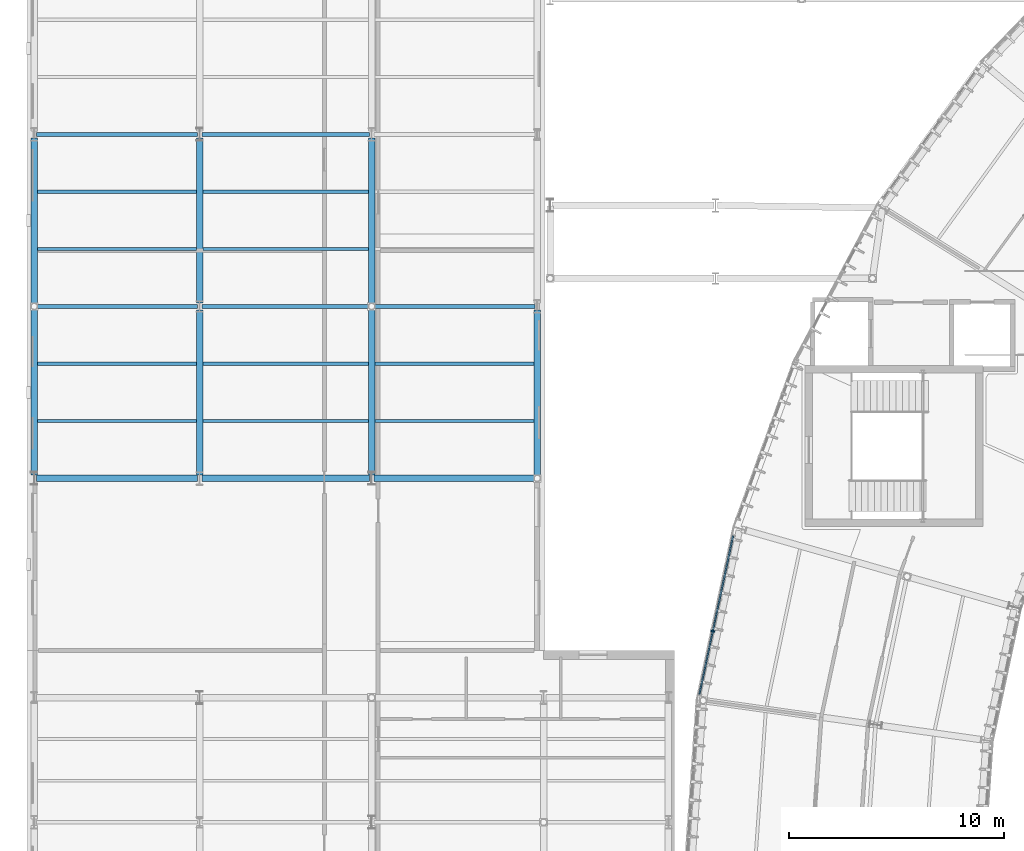
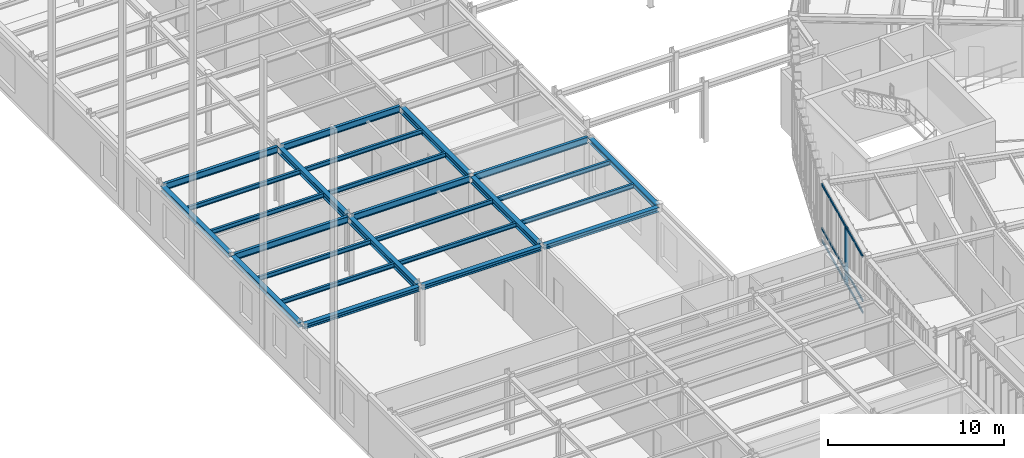
# One storey, part 20 of 148: 25 beams, 4 members, 1 element without a shape of its own.
"""IFC4 building model written with IfcOpenShell, lengths in metres."""

from ifc_helpers import new_model, si_unit, direction, frame, origin, origin_2d, place, context, subcontext, project, spatial, rectangle, i_section, extrude, material, layer, layer_set, material_profile, profile_set, type_object, element, aggregate, save


model = new_model("IFC4")

# Units and contexts
model_context = context("Model", 3, precision=1e-05, world=origin(), true_north=direction((0.0, 1.0)))
body_context = subcontext(model_context, "Body", "Model", "MODEL_VIEW")
ifc_project = project(units=[si_unit("LENGTHUNIT", "METRE"), si_unit("AREAUNIT", "SQUARE_METRE"), si_unit("VOLUMEUNIT", "CUBIC_METRE"), si_unit("PLANEANGLEUNIT", "RADIAN"), si_unit("MASSUNIT", "GRAM", prefix="KILO"), si_unit("THERMODYNAMICTEMPERATUREUNIT", "KELVIN"), si_unit("POWERUNIT", "WATT")], contexts=[model_context])

# Site, building, storey
site_placement = place(None, origin())
site = spatial("IfcSite", under=ifc_project, at=site_placement, CompositionType="ELEMENT")
building_placement = place(site_placement, origin())
building = spatial("IfcBuilding", under=site, at=building_placement, Name="Solvatero Civic Police Headquarters", CompositionType="ELEMENT")
storey_placement = place(building_placement, frame((0.0, 0.0, 5.10009765625)))
storey = spatial("IfcBuildingStorey", under=building, at=storey_placement, Name="L01", CompositionType="ELEMENT", Elevation=5.10009765625)

# Beams
ifc_material_1 = material(Name="Steel S355", Category="steel")
ifc_material_profile_1 = material_profile(ifc_material_1, i_section(OverallWidth=0.300048828125, OverallDepth=0.31005859375, WebThickness=0.009033203125, FlangeThickness=0.015380859375, FilletRadius=0.027099609375, at=origin_2d()), Name="HEA 320")
ifc_profile_set_1 = profile_set([ifc_material_profile_1], Name="Steel S355")
beam_type_1 = type_object("IfcBeamType", Name="BM-ST-HEA320", PredefinedType="SPANDREL", material=ifc_profile_set_1)
beam_1_placement = place(storey_placement, frame((4.89990234375, 44.5, 3.824951171875), z_axis=(1.0, 0.0, 0.0), x_axis=(0.0, 1.0, 0.0)))
element("IfcBeam", 1, at=beam_1_placement, inside=storey, type_object=beam_type_1, Name="Perimeter / radial spandrel beam BM-R2-L01-V6-GX-1-1", PredefinedType="SPANDREL", context=body_context, shape_type="SweptSolid", body=[
    extrude(i_section(OverallWidth=0.300048828125, OverallDepth=0.31005859375, WebThickness=0.009033203125, FlangeThickness=0.015380859375, FilletRadius=0.027099609375, at=origin_2d()), origin(), (0.0, 0.0, 1.0), 7.5),
])
beam_2_placement = place(storey_placement, frame((12.60009765625, 44.5, 3.824951171875), z_axis=(1.0, 0.0, 0.0), x_axis=(0.0, 1.0, 0.0)))
element("IfcBeam", 2, at=beam_2_placement, inside=storey, type_object=beam_type_1, Name="Perimeter / radial spandrel beam BM-R2-L01-V6-GX-2-1", PredefinedType="SPANDREL", context=body_context, shape_type="SweptSolid", body=[
    extrude(i_section(OverallWidth=0.300048828125, OverallDepth=0.31005859375, WebThickness=0.009033203125, FlangeThickness=0.015380859375, FilletRadius=0.027099609375, at=origin_2d()), origin(), (0.0, 0.0, 1.0), 7.7998046875),
])
beam_3_placement = place(storey_placement, frame((20.60009765625, 44.5, 3.824951171875), z_axis=(1.0, 0.0, 0.0), x_axis=(0.0, 1.0, 0.0)))
element("IfcBeam", 3, at=beam_3_placement, inside=storey, type_object=beam_type_1, Name="Perimeter / radial spandrel beam BM-R2-L01-V6-GX-3-1", PredefinedType="SPANDREL", context=body_context, shape_type="SweptSolid", body=[
    extrude(i_section(OverallWidth=0.300048828125, OverallDepth=0.31005859375, WebThickness=0.009033203125, FlangeThickness=0.015380859375, FilletRadius=0.027099609375, at=origin_2d()), origin(), (0.0, 0.0, 1.0), 7.5),
])
for number, where, z_axis, x_axis, name in (
    (4, (4.800048828125, 44.659912109375, 3.824951171875), (0.0, 1.0, 0.0), (-1.0, 0.0, 0.0), "Perimeter / radial spandrel beam BM-R2-L01-V6-GY-1-1"),
    (5, (4.800048828125, 52.659912109375, 3.824951171875), (0.0, 1.0, 0.0), (-1.0, 0.0, 0.0), "Perimeter / radial spandrel beam BM-R2-L01-V6-GY-1-2"),
    (6, (28.199951171875, 44.659912109375, 3.824951171875), (0.0, 1.0, 0.0), (-1.0, 0.0, 0.0), "Perimeter / radial spandrel beam BM-R2-L01-V6-GY-4-1"),
):
    element("IfcBeam", number, at=place(storey_placement, frame(where, z_axis=z_axis, x_axis=x_axis)), inside=storey, type_object=beam_type_1, Name=name, PredefinedType="SPANDREL", context=body_context, shape_type="SweptSolid", body=[
        extrude(i_section(OverallWidth=0.300048828125, OverallDepth=0.31005859375, WebThickness=0.009033203125, FlangeThickness=0.015380859375, FilletRadius=0.027099609375, at=origin_2d()), origin(), (0.0, 0.0, 1.0), 7.68017578125),
    ])
ifc_material_profile_2 = material_profile(ifc_material_1, i_section(OverallWidth=0.300048828125, OverallDepth=0.43994140625, WebThickness=0.011474609375, FlangeThickness=0.02099609375, FilletRadius=0.027099609375, at=origin_2d()), Name="HEA 450")
ifc_profile_set_2 = profile_set([ifc_material_profile_2], Name="Steel S355")
beam_type_2 = type_object("IfcBeamType", Name="BM-ST-HEA450", PredefinedType="BEAM", material=ifc_profile_set_2)
for number, where, z_axis, x_axis, name in (
    (7, (12.5, 44.659912109375, 3.760009765625), (0.0, 1.0, 0.0), (-1.0, 0.0, 0.0), "Primary girder BM-R2-L01-V6-GY-2-1"),
    (8, (12.5, 52.659912109375, 3.760009765625), (0.0, 1.0, 0.0), (-1.0, 0.0, 0.0), "Primary girder BM-R2-L01-V6-GY-2-2"),
    (9, (20.5, 44.659912109375, 3.760009765625), (0.0, 1.0, 0.0), (-1.0, 0.0, 0.0), "Primary girder BM-R2-L01-V6-GY-3-1"),
    (10, (20.5, 52.659912109375, 3.760009765625), (0.0, 1.0, 0.0), (-1.0, 0.0, 0.0), "Primary girder BM-R2-L01-V6-GY-3-2"),
):
    element("IfcBeam", number, at=place(storey_placement, frame(where, z_axis=z_axis, x_axis=x_axis)), inside=storey, type_object=beam_type_2, Name=name, PredefinedType="BEAM", context=body_context, shape_type="SweptSolid", body=[
        extrude(i_section(OverallWidth=0.300048828125, OverallDepth=0.43994140625, WebThickness=0.011474609375, FlangeThickness=0.02099609375, FilletRadius=0.027099609375, at=origin_2d()), origin(), (0.0, 0.0, 1.0), 7.68017578125),
    ])
ifc_material_profile_3 = material_profile(ifc_material_1, i_section(OverallWidth=0.14990234375, OverallDepth=0.300048828125, WebThickness=0.007080078125, FlangeThickness=0.0107421875, FilletRadius=0.014892578125, at=origin_2d()), Name="IPE 300")
ifc_profile_set_3 = profile_set([ifc_material_profile_3], Name="Steel S355")
beam_type_3 = type_object("IfcBeamType", Name="BM-ST-IPE300", PredefinedType="BEAM", material=ifc_profile_set_3)
for number, where, z_axis, x_axis, name in (
    (11, (4.949951171875, 47.166748046875, 3.829833984375), (1.0, 0.0, 0.0), (0.0, 1.0, 0.0), "Composite floor beam BM-R2-L01-V6-SEC-1-1-S1"),
    (12, (4.949951171875, 49.833251953125, 3.829833984375), (1.0, 0.0, 0.0), (0.0, 1.0, 0.0), "Composite floor beam BM-R2-L01-V6-SEC-1-1-S2"),
    (13, (4.949951171875, 55.166748046875, 3.829833984375), (1.0, 0.0, 0.0), (0.0, 1.0, 0.0), "Composite floor beam BM-R2-L01-V6-SEC-1-2-S1"),
    (14, (4.949951171875, 57.833251953125, 3.829833984375), (1.0, 0.0, 0.0), (0.0, 1.0, 0.0), "Composite floor beam BM-R2-L01-V6-SEC-1-2-S2"),
):
    element("IfcBeam", number, at=place(storey_placement, frame(where, z_axis=z_axis, x_axis=x_axis)), inside=storey, type_object=beam_type_3, Name=name, PredefinedType="BEAM", context=body_context, shape_type="SweptSolid", body=[
        extrude(i_section(OverallWidth=0.14990234375, OverallDepth=0.300048828125, WebThickness=0.007080078125, FlangeThickness=0.0107421875, FilletRadius=0.014892578125, at=origin_2d()), origin(), (0.0, 0.0, 1.0), 7.400146484375),
    ])
for number, where, z_axis, x_axis, name in (
    (15, (12.64990234375, 47.166748046875, 3.829833984375), (1.0, 0.0, 0.0), (0.0, 1.0, 0.0), "Composite floor beam BM-R2-L01-V6-SEC-2-1-S1"),
    (16, (12.64990234375, 49.833251953125, 3.829833984375), (1.0, 0.0, 0.0), (0.0, 1.0, 0.0), "Composite floor beam BM-R2-L01-V6-SEC-2-1-S2"),
    (17, (12.64990234375, 55.166748046875, 3.829833984375), (1.0, 0.0, 0.0), (0.0, 1.0, 0.0), "Composite floor beam BM-R2-L01-V6-SEC-2-2-S1"),
    (18, (12.64990234375, 57.833251953125, 3.829833984375), (1.0, 0.0, 0.0), (0.0, 1.0, 0.0), "Composite floor beam BM-R2-L01-V6-SEC-2-2-S2"),
):
    element("IfcBeam", number, at=place(storey_placement, frame(where, z_axis=z_axis, x_axis=x_axis)), inside=storey, type_object=beam_type_3, Name=name, PredefinedType="BEAM", context=body_context, shape_type="SweptSolid", body=[
        extrude(i_section(OverallWidth=0.14990234375, OverallDepth=0.300048828125, WebThickness=0.007080078125, FlangeThickness=0.0107421875, FilletRadius=0.014892578125, at=origin_2d()), origin(), (0.0, 0.0, 1.0), 7.7001953125),
    ])
for number, where, z_axis, x_axis, name in (
    (19, (20.64990234375, 47.166748046875, 3.829833984375), (1.0, 0.0, 0.0), (0.0, 1.0, 0.0), "Composite floor beam BM-R2-L01-V6-SEC-3-1-S1"),
    (20, (20.64990234375, 49.833251953125, 3.829833984375), (1.0, 0.0, 0.0), (0.0, 1.0, 0.0), "Composite floor beam BM-R2-L01-V6-SEC-3-1-S2"),
):
    element("IfcBeam", number, at=place(storey_placement, frame(where, z_axis=z_axis, x_axis=x_axis)), inside=storey, type_object=beam_type_3, Name=name, PredefinedType="BEAM", context=body_context, shape_type="SweptSolid", body=[
        extrude(i_section(OverallWidth=0.14990234375, OverallDepth=0.300048828125, WebThickness=0.007080078125, FlangeThickness=0.0107421875, FilletRadius=0.014892578125, at=origin_2d()), origin(), (0.0, 0.0, 1.0), 7.400146484375),
    ])
ifc_material_profile_4 = material_profile(ifc_material_1, i_section(OverallWidth=0.18994140625, OverallDepth=0.449951171875, WebThickness=0.009521484375, FlangeThickness=0.0146484375, FilletRadius=0.02099609375, at=origin_2d()), Name="IPE 450")
ifc_profile_set_4 = profile_set([ifc_material_profile_4], Name="Steel S355")
beam_type_4 = type_object("IfcBeamType", Name="BM-ST-IPE450", PredefinedType="BEAM", material=ifc_profile_set_4)
beam_4_placement = place(storey_placement, frame((4.89990234375, 52.5, 3.7548828125), z_axis=(1.0, 0.0, 0.0), x_axis=(0.0, 1.0, 0.0)))
element("IfcBeam", 21, at=beam_4_placement, inside=storey, type_object=beam_type_4, Name="Primary girder BM-R2-L01-V6-GX-1-2", PredefinedType="BEAM", context=body_context, shape_type="SweptSolid", body=[
    extrude(i_section(OverallWidth=0.18994140625, OverallDepth=0.449951171875, WebThickness=0.009521484375, FlangeThickness=0.0146484375, FilletRadius=0.02099609375, at=origin_2d()), origin(), (0.0, 0.0, 1.0), 7.5),
])
beam_5_placement = place(storey_placement, frame((12.60009765625, 52.5, 3.7548828125), z_axis=(1.0, 0.0, 0.0), x_axis=(0.0, 1.0, 0.0)))
element("IfcBeam", 22, at=beam_5_placement, inside=storey, type_object=beam_type_4, Name="Primary girder BM-R2-L01-V6-GX-2-2", PredefinedType="BEAM", context=body_context, shape_type="SweptSolid", body=[
    extrude(i_section(OverallWidth=0.18994140625, OverallDepth=0.449951171875, WebThickness=0.009521484375, FlangeThickness=0.0146484375, FilletRadius=0.02099609375, at=origin_2d()), origin(), (0.0, 0.0, 1.0), 7.7998046875),
])
for number, where, z_axis, x_axis, name in (
    (23, (20.60009765625, 52.5, 3.7548828125), (1.0, 0.0, 0.0), (0.0, 1.0, 0.0), "Primary girder BM-R2-L01-V6-GX-3-2"),
    (24, (4.89990234375, 60.5, 3.7548828125), (1.0, 0.0, 0.0), (0.0, 1.0, 0.0), "Primary girder BM-R2-L01-V6-GX-1-3"),
):
    element("IfcBeam", number, at=place(storey_placement, frame(where, z_axis=z_axis, x_axis=x_axis)), inside=storey, type_object=beam_type_4, Name=name, PredefinedType="BEAM", context=body_context, shape_type="SweptSolid", body=[
        extrude(i_section(OverallWidth=0.18994140625, OverallDepth=0.449951171875, WebThickness=0.009521484375, FlangeThickness=0.0146484375, FilletRadius=0.02099609375, at=origin_2d()), origin(), (0.0, 0.0, 1.0), 7.5),
    ])
beam_6_placement = place(storey_placement, frame((12.60009765625, 60.5, 3.7548828125), z_axis=(1.0, 0.0, 0.0), x_axis=(0.0, 1.0, 0.0)))
element("IfcBeam", 25, at=beam_6_placement, inside=storey, type_object=beam_type_4, Name="Primary girder BM-R2-L01-V6-GX-2-3", PredefinedType="BEAM", context=body_context, shape_type="SweptSolid", body=[
    extrude(i_section(OverallWidth=0.18994140625, OverallDepth=0.449951171875, WebThickness=0.009521484375, FlangeThickness=0.0146484375, FilletRadius=0.02099609375, at=origin_2d()), origin(), (0.0, 0.0, 1.0), 7.7998046875),
])

# Curtain wall, members
ifc_material_2 = material(Name="Anodized Bronze Aluminium", Category="aluminium")
ifc_layer = layer(ifc_material_2, 0.179931640625)
ifc_layer_set = layer_set([ifc_layer], Name="Anodized Bronze Aluminium")
curtain_wall_type = type_object("IfcCurtainWallType", Name="CW-ARC-OUT", PredefinedType="USERDEFINED", material=ifc_layer_set)
curtain_wall_placement = place(storey_placement, origin())
curtain_wall = element("IfcCurtainWall", 26, at=curtain_wall_placement, inside=storey, type_object=curtain_wall_type, Name="Curtain Wall CW-R2-L01-ARC-OUT-B11", ObjectType="UNITISED", PredefinedType="USERDEFINED")
ifc_material_profile_5 = material_profile(ifc_material_2, rectangle(XDim=0.070068359375, YDim=0.199951171875, at=origin_2d()), Name="ALU MULLION 70x200")
ifc_profile_set_5 = profile_set([ifc_material_profile_5], Name="Anodized Bronze Aluminium")
member_type_1 = type_object("IfcMemberType", Name="CWM-220x80", PredefinedType="MULLION", material=ifc_profile_set_5)
member_1_placement = place(storey_placement, frame((36.372802734375, 37.393310546875, 0.0), z_axis=(0.0, 0.0, 1.0), x_axis=(-0.207911690818, -0.978147600734, 0.0)))
member_1 = element("IfcMember", 27, at=member_1_placement, type_object=member_type_1, Name="CW-R2-L01-ARC-OUT-B11 Mullion 4", PredefinedType="MULLION", context=body_context, shape_type="SweptSolid", body=[
    extrude(rectangle(XDim=0.070068359375, YDim=0.199951171875, at=origin_2d()), origin(), (0.0, 0.0, 1.0), 3.93994140625),
])
ifc_material_profile_6 = material_profile(ifc_material_2, rectangle(XDim=0.070068359375, YDim=0.159912109375, at=origin_2d()), Name="ALU TRANSOM 70x160")
ifc_profile_set_6 = profile_set([ifc_material_profile_6], Name="Anodized Bronze Aluminium")
member_type_2 = type_object("IfcMemberType", Name="CWT-120x55", PredefinedType="USERDEFINED", material=ifc_profile_set_6)
member_2_placement = place(storey_placement, frame((37.314453125, 41.822509765625, 0.039794921875), z_axis=(-0.207910325308, -0.978147890981, 0.0), x_axis=(0.978147890981, -0.207910325308, 0.0)))
member_2 = element("IfcMember", 28, at=member_2_placement, type_object=member_type_2, Name="CW-R2-L01-ARC-OUT-B11 Transom 1", ObjectType="TRANSOM", PredefinedType="USERDEFINED", context=body_context, shape_type="SweptSolid", body=[
    extrude(rectangle(XDim=0.070068359375, YDim=0.159912109375, at=origin_2d()), origin(), (0.0, 0.0, 1.0), 7.530517578125),
])
member_3_placement = place(storey_placement, frame((37.314453125, 41.822509765625, 0.849853515625), z_axis=(-0.207910325308, -0.978147890981, 0.0), x_axis=(0.978147890981, -0.207910325308, 0.0)))
member_3 = element("IfcMember", 29, at=member_3_placement, type_object=member_type_2, Name="CW-R2-L01-ARC-OUT-B11 Transom 2", ObjectType="TRANSOM", PredefinedType="USERDEFINED", context=body_context, shape_type="SweptSolid", body=[
    extrude(rectangle(XDim=0.070068359375, YDim=0.159912109375, at=origin_2d()), origin(), (0.0, 0.0, 1.0), 7.530517578125),
])
member_4_placement = place(storey_placement, frame((37.314453125, 41.822509765625, 3.89990234375), z_axis=(-0.207910325308, -0.978147890981, 0.0), x_axis=(0.978147890981, -0.207910325308, 0.0)))
member_4 = element("IfcMember", 30, at=member_4_placement, type_object=member_type_2, Name="CW-R2-L01-ARC-OUT-B11 Transom 3", ObjectType="TRANSOM", PredefinedType="USERDEFINED", context=body_context, shape_type="SweptSolid", body=[
    extrude(rectangle(XDim=0.070068359375, YDim=0.159912109375, at=origin_2d()), origin(), (0.0, 0.0, 1.0), 7.530517578125),
])
aggregate(curtain_wall, [member_1, member_2, member_3, member_4])

save(model, "model.ifc")
